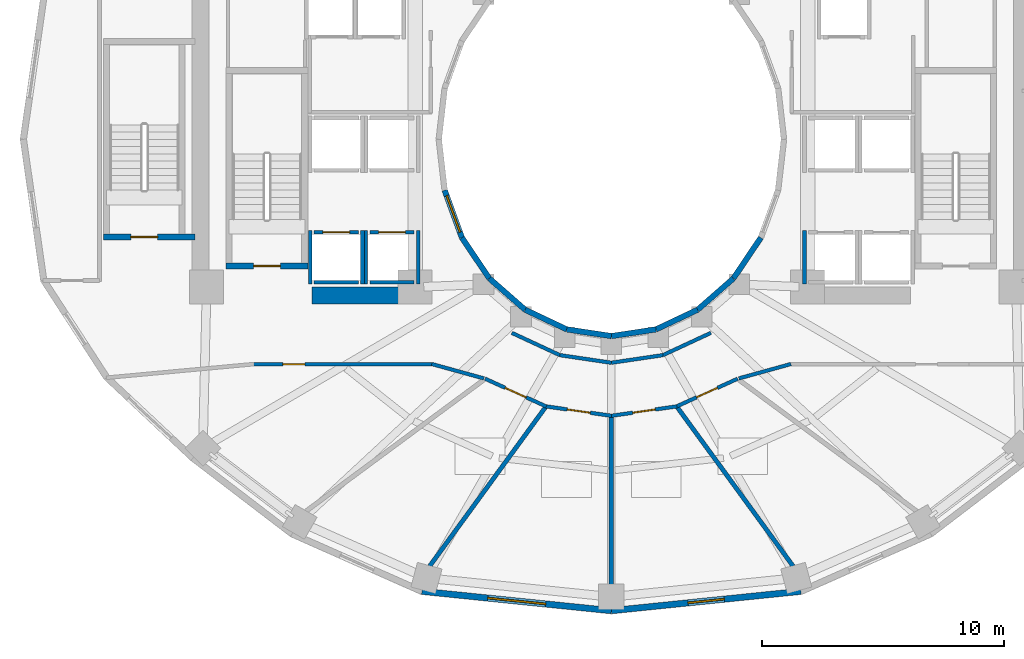
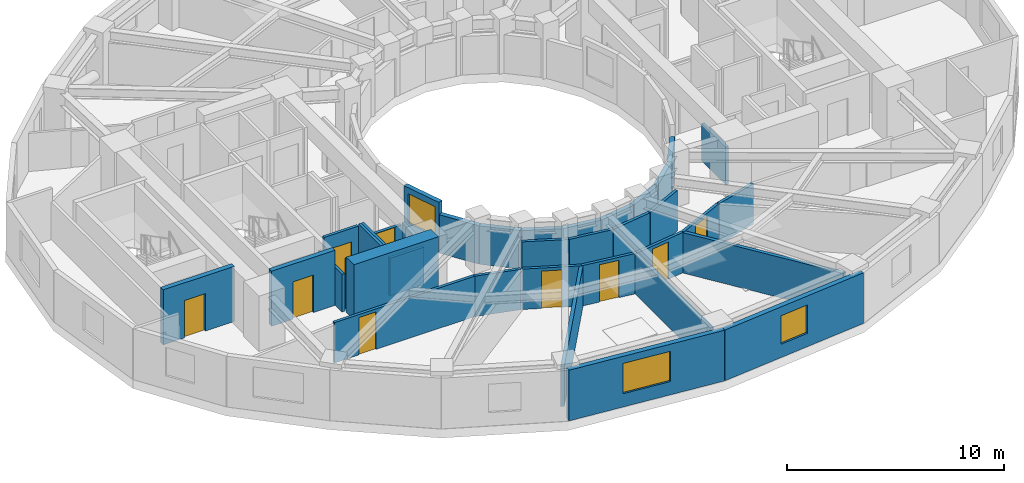
# One storey, part 3 of 9: 37 walls, 9 doors, 3 windows, 12 openings.
"""IFC4 building model written with IfcOpenShell, lengths in metres."""

from ifc_helpers import new_model, si_unit, direction, frame, frame_2d, origin, place, context, subcontext, project, spatial, rectangle, extrude, material, layer, layer_set, type_object, element, fill, save


model = new_model("IFC4")

# Units and contexts
model_context = context("Model", 3, precision=1e-05, world=origin(), true_north=direction((0.0, 1.0)))
body_context = subcontext(model_context, "Body", "Model", "MODEL_VIEW")
ifc_project = project(units=[si_unit("LENGTHUNIT", "METRE"), si_unit("AREAUNIT", "SQUARE_METRE"), si_unit("VOLUMEUNIT", "CUBIC_METRE"), si_unit("PLANEANGLEUNIT", "RADIAN"), si_unit("MASSUNIT", "GRAM", prefix="KILO")], contexts=[model_context])

# Site, building, storey
site_placement = place(None, origin())
site = spatial("IfcSite", under=ifc_project, at=site_placement, CompositionType="ELEMENT")
building_placement = place(site_placement, origin())
building = spatial("IfcBuilding", under=site, at=building_placement, Name="Solvane Sanctuary Tower", CompositionType="ELEMENT")
storey_placement = place(building_placement, frame((0.0, 0.0, 104.199951171875)))
storey = spatial("IfcBuildingStorey", under=building, at=storey_placement, Name="L31", CompositionType="ELEMENT", Elevation=104.199951171875)

# Walls
ifc_material_1 = material(Name="Concrete C60/75", Category="concrete")
ifc_layer_1 = layer(ifc_material_1, 0.699951171875, Name="Concrete C60/75")
ifc_layer_set_1 = layer_set([ifc_layer_1], Name="Concrete C60/75")
wall_type_1 = type_object("IfcWallType", Name="Wall W-CORE-700", PredefinedType="SHEAR", material=ifc_layer_set_1)
wall_1_placement = place(storey_placement, frame((19.64990234375, 16.550048828125, 0.0), z_axis=(0.0, 0.0, 1.0), x_axis=(1.0, 0.0, 0.0)))
element("IfcWall", 1, at=wall_1_placement, inside=storey, type_object=wall_type_1, Name="L31 Core Shear Wall WC-S", PredefinedType="SHEAR", context=body_context, shape_type="SweptSolid", body=[
    extrude(rectangle(XDim=4.5, YDim=0.699951171875, at=frame_2d((2.25, 0.0))), origin(), (0.0, 0.0, 1.0), 3.10009765625),
])
ifc_material_2 = material(Name="Acoustic Gypsum Partition Board")
ifc_layer_2 = layer(ifc_material_2, 0.14990234375, Name="Acoustic Gypsum Partition Board")
ifc_layer_set_2 = layer_set([ifc_layer_2], Name="Acoustic Gypsum Partition Board")
wall_type_2 = type_object("IfcWallType", Name="Wall W-CORR-150", PredefinedType="PARTITIONING", material=ifc_layer_set_2)
wall_2_placement = place(storey_placement, frame((27.889892578125, 15.01513671875, 0.0), z_axis=(0.0, 0.0, 1.0), x_axis=(0.906943449489, -0.421252393975, 0.0)))
element("IfcWall", 2, at=wall_2_placement, inside=storey, type_object=wall_type_2, Name="L31 Light-Well Corridor Rim Wall S1", PredefinedType="PARTITIONING", context=body_context, shape_type="SweptSolid", body=[
    extrude(rectangle(XDim=2.18603515625, YDim=0.14990234375, at=frame_2d((1.093017578125, 0.0))), origin(), (0.0, 0.0, 1.0), 2.27197265625),
])
for number, where, z_axis, x_axis, name in (
    (3, (29.87255859375, 14.09423828125, 0.0), (0.0, 0.0, 1.0), (0.989268584896, -0.146108408166, 0.0), "L31 Light-Well Corridor Rim Wall S2"),
    (4, (32.0, 13.780029296875, 0.0), (0.0, 0.0, 1.0), (0.989268584896, 0.146108408166, 0.0), "L31 Light-Well Corridor Rim Wall S3"),
):
    element("IfcWall", number, at=place(storey_placement, frame(where, z_axis=z_axis, x_axis=x_axis)), inside=storey, type_object=wall_type_2, Name=name, PredefinedType="PARTITIONING", context=body_context, shape_type="SweptSolid", body=[
        extrude(rectangle(XDim=2.150634765625, YDim=0.14990234375, at=frame_2d((1.0751953125, 0.0))), origin(), (0.0, 0.0, 1.0), 2.27197265625),
    ])
wall_3_placement = place(storey_placement, frame((34.12744140625, 14.09423828125, 0.0), z_axis=(0.0, 0.0, 1.0), x_axis=(0.906943449489, 0.421252393975, 0.0)))
element("IfcWall", 5, at=wall_3_placement, inside=storey, type_object=wall_type_2, Name="L31 Light-Well Corridor Rim Wall S4", PredefinedType="PARTITIONING", context=body_context, shape_type="SweptSolid", body=[
    extrude(rectangle(XDim=2.18603515625, YDim=0.14990234375, at=frame_2d((1.093017578125, 0.0))), origin(), (0.0, 0.0, 1.0), 2.27197265625),
])
wall_4_placement = place(storey_placement, frame((26.741943359375, 13.13330078125, 0.0), z_axis=(0.0, 0.0, 1.0), x_axis=(-0.963833843713, 0.266503886865, 0.0)))
element("IfcWall", 6, at=wall_4_placement, inside=storey, type_object=wall_type_2, Name="L31 SW Corner Throat Wall", PredefinedType="PARTITIONING", context=body_context, shape_type="SweptSolid", body=[
    extrude(rectangle(XDim=2.231689453125, YDim=0.14990234375, at=frame_2d((1.11572265625, 0.0))), origin(), (0.0, 0.0, 1.0), 2.27197265625),
])

# Wall, opening, door
wall_5_placement = place(storey_placement, frame((17.14990234375, 13.719970703125, 0.0), z_axis=(0.0, 0.0, 1.0), x_axis=(1.0, 0.0, 0.0)))
wall_5 = element("IfcWall", 7, at=wall_5_placement, inside=storey, type_object=wall_type_2, Name="L31 SW Corner Corridor Wall", PredefinedType="PARTITIONING", context=body_context, shape_type="SweptSolid", body=[
    extrude(rectangle(XDim=7.52001953125, YDim=0.14990234375, at=frame_2d((3.760009765625, 0.0))), origin(), (0.0, 0.0, 1.0), 2.27197265625),
])
opening_1_placement = place(wall_5_placement, frame((1.300048828125, 0.0, 0.0)))
opening_1 = element("IfcOpeningElement", 8, at=opening_1_placement, cuts=wall_5, Name="Opening D-L31-14", PredefinedType="OPENING", context=body_context, shape_type="SweptSolid", body=[
    extrude(rectangle(XDim=0.89990234375, YDim=2.10009765625, at=frame_2d((0.449951171875, 1.050048828125))), frame((0.0, 0.0849609375, 0.0), z_axis=(0.0, -1.0, 0.0), x_axis=(1.0, 0.0, 0.0)), (0.0, 0.0, 1.0), 0.169921875),
])
ifc_material_3 = material(Name="Engineered Tropical Hardwood", Category="wood")
door_type_1 = type_object("IfcDoorType", Name="Door D-WET-900", OperationType="NOTDEFINED", PredefinedType="DOOR", material=ifc_material_3)
door_1_placement = place(opening_1_placement, origin())
door_1 = element("IfcDoor", 9, at=door_1_placement, inside=storey, type_object=door_type_1, Name="L31 SW Corner Salon Door", OperationType="SINGLE_SWING_LEFT", OverallHeight=2.10009765625, OverallWidth=0.89990234375, PredefinedType="DOOR", context=body_context, shape_type="SweptSolid", body=[
    extrude(rectangle(XDim=0.89990234375, YDim=2.10009765625, at=frame_2d((0.449951171875, 1.050048828125))), frame((0.0, 0.02490234375, 0.0), z_axis=(0.0, -1.0, 0.0), x_axis=(1.0, 0.0, 0.0)), (0.0, 0.0, 1.0), 0.050048828125),
])
fill(opening_1, door_1)

# Wall
wall_6_placement = place(storey_placement, frame((37.258056640625, 13.13330078125, 0.0), z_axis=(0.0, 0.0, 1.0), x_axis=(0.963833843713, 0.266503886865, 0.0)))
element("IfcWall", 10, at=wall_6_placement, inside=storey, type_object=wall_type_2, Name="L31 SE Corner Throat Wall", PredefinedType="PARTITIONING", context=body_context, shape_type="SweptSolid", body=[
    extrude(rectangle(XDim=2.231689453125, YDim=0.14990234375, at=frame_2d((1.11572265625, 0.0))), origin(), (0.0, 0.0, 1.0), 2.27197265625),
])

# Wall, opening, door
wall_7_placement = place(storey_placement, frame((26.788818359375, 13.12255859375, 0.0), z_axis=(0.0, 0.0, 1.0), x_axis=(0.910568469686, -0.41335827319, 0.0)))
wall_7 = element("IfcWall", 11, at=wall_7_placement, inside=storey, type_object=wall_type_2, Name="L31 Unit Corridor Wall S1", PredefinedType="PARTITIONING", context=body_context, shape_type="SweptSolid", body=[
    extrude(rectangle(XDim=2.771728515625, YDim=0.14990234375, at=frame_2d((1.3857421875, 0.0))), origin(), (0.0, 0.0, 1.0), 2.27197265625),
])
opening_2_placement = place(wall_7_placement, frame((0.910888671875, 0.0, 0.0)))
opening_2 = element("IfcOpeningElement", 12, at=opening_2_placement, cuts=wall_7, Name="Opening D-L31-20", PredefinedType="OPENING", context=body_context, shape_type="SweptSolid", body=[
    extrude(rectangle(XDim=0.949951171875, YDim=2.10009765625, at=frame_2d((0.47509765625, 1.050048828125))), frame((0.0, 0.0849609375, 0.0), z_axis=(0.0, -1.0, 0.0), x_axis=(1.0, 0.0, 0.0)), (0.0, 0.0, 1.0), 0.169921875),
])
door_type_2 = type_object("IfcDoorType", Name="Door D-ROOM-950", OperationType="NOTDEFINED", PredefinedType="DOOR", material=ifc_material_3)
door_2_placement = place(opening_2_placement, origin())
door_2 = element("IfcDoor", 13, at=door_2_placement, inside=storey, type_object=door_type_2, Name="L31 Unit Entrance Door S1", OperationType="SINGLE_SWING_LEFT", OverallHeight=2.10009765625, OverallWidth=0.949951171875, PredefinedType="DOOR", context=body_context, shape_type="SweptSolid", body=[
    extrude(rectangle(XDim=0.949951171875, YDim=2.10009765625, at=frame_2d((0.47509765625, 1.050048828125))), frame((0.0, 0.02490234375, 0.0), z_axis=(0.0, -1.0, 0.0), x_axis=(1.0, 0.0, 0.0)), (0.0, 0.0, 1.0), 0.050048828125),
])
fill(opening_2, door_2)

wall_8_placement = place(storey_placement, frame((29.298583984375, 11.98095703125, 0.0), z_axis=(0.0, 0.0, 1.0), x_axis=(0.989748682384, -0.142819976611, 0.0)))
wall_8 = element("IfcWall", 14, at=wall_8_placement, inside=storey, type_object=wall_type_2, Name="L31 Unit Corridor Wall S2", PredefinedType="PARTITIONING", context=body_context, shape_type="SweptSolid", body=[
    extrude(rectangle(XDim=2.73681640625, YDim=0.14990234375, at=frame_2d((1.368408203125, 0.0))), origin(), (0.0, 0.0, 1.0), 2.27197265625),
])
opening_3_placement = place(wall_8_placement, frame((0.893310546875, 0.0, 0.0)))
opening_3 = element("IfcOpeningElement", 15, at=opening_3_placement, cuts=wall_8, Name="Opening D-L31-21", PredefinedType="OPENING", context=body_context, shape_type="SweptSolid", body=[
    extrude(rectangle(XDim=0.949951171875, YDim=2.10009765625, at=frame_2d((0.47509765625, 1.050048828125))), frame((0.0, 0.0849609375, 0.0), z_axis=(0.0, -1.0, 0.0), x_axis=(1.0, 0.0, 0.0)), (0.0, 0.0, 1.0), 0.169921875),
])
door_3_placement = place(opening_3_placement, origin())
door_3 = element("IfcDoor", 16, at=door_3_placement, inside=storey, type_object=door_type_2, Name="L31 Unit Entrance Door S2", OperationType="SINGLE_SWING_RIGHT", OverallHeight=2.10009765625, OverallWidth=0.949951171875, PredefinedType="DOOR", context=body_context, shape_type="SweptSolid", body=[
    extrude(rectangle(XDim=0.949951171875, YDim=2.10009765625, at=frame_2d((0.47509765625, 1.050048828125))), frame((0.0, 0.02490234375, 0.0), z_axis=(0.0, -1.0, 0.0), x_axis=(1.0, 0.0, 0.0)), (0.0, 0.0, 1.0), 0.050048828125),
])
fill(opening_3, door_3)

wall_9_placement = place(storey_placement, frame((31.99267578125, 11.590087890625, 0.0), z_axis=(0.0, 0.0, 1.0), x_axis=(0.989748682384, 0.142819976611, 0.0)))
wall_9 = element("IfcWall", 17, at=wall_9_placement, inside=storey, type_object=wall_type_2, Name="L31 Unit Corridor Wall S3", PredefinedType="PARTITIONING", context=body_context, shape_type="SweptSolid", body=[
    extrude(rectangle(XDim=2.73681640625, YDim=0.14990234375, at=frame_2d((1.368408203125, 0.0))), origin(), (0.0, 0.0, 1.0), 2.27197265625),
])
opening_4_placement = place(wall_9_placement, frame((0.893310546875, 0.0, 0.0)))
opening_4 = element("IfcOpeningElement", 18, at=opening_4_placement, cuts=wall_9, Name="Opening D-L31-22", PredefinedType="OPENING", context=body_context, shape_type="SweptSolid", body=[
    extrude(rectangle(XDim=0.949951171875, YDim=2.10009765625, at=frame_2d((0.47509765625, 1.050048828125))), frame((0.0, 0.0849609375, 0.0), z_axis=(0.0, -1.0, 0.0), x_axis=(1.0, 0.0, 0.0)), (0.0, 0.0, 1.0), 0.169921875),
])
door_4_placement = place(opening_4_placement, origin())
door_4 = element("IfcDoor", 19, at=door_4_placement, inside=storey, type_object=door_type_2, Name="L31 Unit Entrance Door S3", OperationType="SINGLE_SWING_LEFT", OverallHeight=2.10009765625, OverallWidth=0.949951171875, PredefinedType="DOOR", context=body_context, shape_type="SweptSolid", body=[
    extrude(rectangle(XDim=0.949951171875, YDim=2.10009765625, at=frame_2d((0.47509765625, 1.050048828125))), frame((0.0, 0.02490234375, 0.0), z_axis=(0.0, -1.0, 0.0), x_axis=(1.0, 0.0, 0.0)), (0.0, 0.0, 1.0), 0.050048828125),
])
fill(opening_4, door_4)

wall_10_placement = place(storey_placement, frame((34.687255859375, 11.976806640625, 0.0), z_axis=(0.0, 0.0, 1.0), x_axis=(0.910568469686, 0.41335827319, 0.0)))
wall_10 = element("IfcWall", 20, at=wall_10_placement, inside=storey, type_object=wall_type_2, Name="L31 Unit Corridor Wall S4", PredefinedType="PARTITIONING", context=body_context, shape_type="SweptSolid", body=[
    extrude(rectangle(XDim=2.771728515625, YDim=0.14990234375, at=frame_2d((1.3857421875, 0.0))), origin(), (0.0, 0.0, 1.0), 2.27197265625),
])
opening_5_placement = place(wall_10_placement, frame((0.910888671875, 0.0, 0.0)))
opening_5 = element("IfcOpeningElement", 21, at=opening_5_placement, cuts=wall_10, Name="Opening D-L31-23", PredefinedType="OPENING", context=body_context, shape_type="SweptSolid", body=[
    extrude(rectangle(XDim=0.949951171875, YDim=2.10009765625, at=frame_2d((0.47509765625, 1.050048828125))), frame((0.0, 0.0849609375, 0.0), z_axis=(0.0, -1.0, 0.0), x_axis=(1.0, 0.0, 0.0)), (0.0, 0.0, 1.0), 0.169921875),
])
door_5_placement = place(opening_5_placement, origin())
door_5 = element("IfcDoor", 22, at=door_5_placement, inside=storey, type_object=door_type_2, Name="L31 Unit Entrance Door S4", OperationType="SINGLE_SWING_RIGHT", OverallHeight=2.10009765625, OverallWidth=0.949951171875, PredefinedType="DOOR", context=body_context, shape_type="SweptSolid", body=[
    extrude(rectangle(XDim=0.949951171875, YDim=2.10009765625, at=frame_2d((0.47509765625, 1.050048828125))), frame((0.0, 0.02490234375, 0.0), z_axis=(0.0, -1.0, 0.0), x_axis=(1.0, 0.0, 0.0)), (0.0, 0.0, 1.0), 0.050048828125),
])
fill(opening_5, door_5)

# Wall, opening, window
ifc_material_4 = material(Name="Precast concrete C40/50", Category="concrete")
ifc_layer_3 = layer(ifc_material_4, 0.260009765625, Name="Precast concrete C40/50")
ifc_layer_set_3 = layer_set([ifc_layer_3], Name="Precast concrete C40/50")
wall_type_3 = type_object("IfcWallType", Name="Wall W-EXT-250", PredefinedType="STANDARD", material=ifc_layer_set_3)
wall_11_placement = place(storey_placement, frame((24.18359375, 4.349365234375, 0.0), z_axis=(0.0, 0.0, 1.0), x_axis=(0.994821390558, -0.101638579726, 0.0)))
wall_11 = element("IfcWall", 23, at=wall_11_placement, inside=storey, type_object=wall_type_3, Name="L31 Ceramic-Printed Facade Wall 17", PredefinedType="STANDARD", context=body_context, shape_type="SweptSolid", body=[
    extrude(rectangle(XDim=7.857177734375, YDim=0.260009765625, at=frame_2d((3.9287109375, 0.0))), origin(), (0.0, 0.0, 1.0), 2.85009765625),
])
opening_6_placement = place(wall_11_placement, frame((2.728515625, 0.0, 0.75)))
opening_6 = element("IfcOpeningElement", 24, at=opening_6_placement, cuts=wall_11, Name="Opening WN-RIB-2400", PredefinedType="OPENING", context=body_context, shape_type="SweptSolid", body=[
    extrude(rectangle(XDim=2.39990234375, YDim=1.699951171875, at=frame_2d((1.199951171875, 0.85009765625))), frame((0.0, 0.139892578125, 0.0), z_axis=(0.0, -1.0, 0.0), x_axis=(1.0, 0.0, 0.0)), (0.0, 0.0, 1.0), 0.280029296875),
])
ifc_material_5 = material(Name="Dark Ceramic-Fritted Low-E Glass", Category="glass")
window_type_1 = type_object("IfcWindowType", Name="Window WN-RIB-2400", PartitioningType="SINGLE_PANEL", PredefinedType="WINDOW", material=ifc_material_5)
window_1_placement = place(opening_6_placement, origin())
window_1 = element("IfcWindow", 25, at=window_1_placement, inside=storey, type_object=window_type_1, Name="L31 Operable Facade Window 17", OverallHeight=1.699951171875, OverallWidth=2.39990234375, PartitioningType="SINGLE_PANEL", PredefinedType="WINDOW", context=body_context, shape_type="SweptSolid", body=[
    extrude(rectangle(XDim=2.39990234375, YDim=1.699951171875, at=frame_2d((1.199951171875, 0.85009765625))), frame((0.0, 0.030029296875, 0.0), z_axis=(0.0, -1.0, 0.0), x_axis=(1.0, 0.0, 0.0)), (0.0, 0.0, 1.0), 0.06005859375),
])
fill(opening_6, window_1)

wall_12_placement = place(storey_placement, frame((32.0, 3.55078125, 0.0), z_axis=(0.0, 0.0, 1.0), x_axis=(0.994821390558, 0.101638579726, 0.0)))
wall_12 = element("IfcWall", 26, at=wall_12_placement, inside=storey, type_object=wall_type_3, Name="L31 Ceramic-Printed Facade Wall 18", PredefinedType="STANDARD", context=body_context, shape_type="SweptSolid", body=[
    extrude(rectangle(XDim=7.857177734375, YDim=0.260009765625, at=frame_2d((3.9287109375, 0.0))), origin(), (0.0, 0.0, 1.0), 2.85009765625),
])
opening_7_placement = place(wall_12_placement, frame((3.178466796875, 0.0, 0.75)))
opening_7 = element("IfcOpeningElement", 27, at=opening_7_placement, cuts=wall_12, Name="Opening WN-OPER-1500", PredefinedType="OPENING", context=body_context, shape_type="SweptSolid", body=[
    extrude(rectangle(XDim=1.5, YDim=1.60009765625, at=frame_2d((0.75, 0.800048828125))), frame((0.0, 0.139892578125, 0.0), z_axis=(0.0, -1.0, 0.0), x_axis=(1.0, 0.0, 0.0)), (0.0, 0.0, 1.0), 0.280029296875),
])
window_type_2 = type_object("IfcWindowType", Name="Window WN-OPER-1500", PartitioningType="SINGLE_PANEL", PredefinedType="WINDOW", material=ifc_material_5)
window_2_placement = place(opening_7_placement, origin())
window_2 = element("IfcWindow", 28, at=window_2_placement, inside=storey, type_object=window_type_2, Name="L31 Operable Facade Window 18", OverallHeight=1.60009765625, OverallWidth=1.5, PartitioningType="SINGLE_PANEL", PredefinedType="WINDOW", context=body_context, shape_type="SweptSolid", body=[
    extrude(rectangle(XDim=1.5, YDim=1.60009765625, at=frame_2d((0.75, 0.800048828125))), frame((0.0, 0.030029296875, 0.0), z_axis=(0.0, -1.0, 0.0), x_axis=(1.0, 0.0, 0.0)), (0.0, 0.0, 1.0), 0.06005859375),
])
fill(opening_7, window_2)

ifc_layer_4 = layer(ifc_material_4, 0.22998046875, Name="Precast concrete C40/50")
ifc_layer_set_4 = layer_set([ifc_layer_4], Name="Precast concrete C40/50")
wall_type_4 = type_object("IfcWallType", Name="Wall W-EXT-SP220", PredefinedType="STANDARD", material=ifc_layer_set_4)
wall_13_placement = place(storey_placement, frame((25.12255859375, 20.8984375, 0.0), z_axis=(0.0, 0.0, 1.0), x_axis=(0.341423187295, -0.93990968033, 0.0)))
wall_13 = element("IfcWall", 29, at=wall_13_placement, inside=storey, type_object=wall_type_4, Name="L31 Central Light-Well Wall 13", PredefinedType="STANDARD", context=body_context, shape_type="SweptSolid", body=[
    extrude(rectangle(XDim=2.083740234375, YDim=0.22998046875, at=frame_2d((1.0419921875, 0.0))), origin(), (0.0, 0.0, 1.0), 2.840087890625),
])
opening_8_placement = place(wall_13_placement, frame((0.24169921875, 0.0, 0.85009765625)))
opening_8 = element("IfcOpeningElement", 30, at=opening_8_placement, cuts=wall_13, Name="Opening WN-WELL-1600", PredefinedType="OPENING", context=body_context, shape_type="SweptSolid", body=[
    extrude(rectangle(XDim=1.60009765625, YDim=1.64990234375, at=frame_2d((0.800048828125, 0.824951171875))), frame((0.0, 0.125, 0.0), z_axis=(0.0, -1.0, 0.0), x_axis=(1.0, 0.0, 0.0)), (0.0, 0.0, 1.0), 0.25),
])
ifc_material_6 = material(Name="Clear Laminated Light-Well Glass", Category="glass")
window_type_3 = type_object("IfcWindowType", Name="Window WN-WELL-1600", PartitioningType="SINGLE_PANEL", PredefinedType="WINDOW", material=ifc_material_6)
window_3_placement = place(opening_8_placement, origin())
window_3 = element("IfcWindow", 31, at=window_3_placement, inside=storey, type_object=window_type_3, Name="L31 Light-Well Daylight Window 13", OverallHeight=1.64990234375, OverallWidth=1.60009765625, PartitioningType="SINGLE_PANEL", PredefinedType="WINDOW", context=body_context, shape_type="SweptSolid", body=[
    extrude(rectangle(XDim=1.60009765625, YDim=1.64990234375, at=frame_2d((0.800048828125, 0.824951171875))), frame((0.0, 0.030029296875, 0.0), z_axis=(0.0, -1.0, 0.0), x_axis=(1.0, 0.0, 0.0)), (0.0, 0.0, 1.0), 0.06005859375),
])
fill(opening_8, window_3)

# Walls
wall_14_placement = place(storey_placement, frame((25.833984375, 18.93994140625, 0.0), z_axis=(0.0, 0.0, 1.0), x_axis=(0.558197800898, -0.829707909492, 0.0)))
element("IfcWall", 32, at=wall_14_placement, inside=storey, type_object=wall_type_4, Name="L31 Central Light-Well Wall 14", PredefinedType="STANDARD", context=body_context, shape_type="SweptSolid", body=[
    extrude(rectangle(XDim=2.02685546875, YDim=0.22998046875, at=frame_2d((1.013427734375, 0.0))), origin(), (0.0, 0.0, 1.0), 2.16015625),
])
wall_15_placement = place(storey_placement, frame((26.96533203125, 17.25830078125, 0.0), z_axis=(0.0, 0.0, 1.0), x_axis=(0.752576694707, -0.658504607869, 0.0)))
element("IfcWall", 33, at=wall_15_placement, inside=storey, type_object=wall_type_4, Name="L31 Central Light-Well Wall 15", PredefinedType="STANDARD", context=body_context, shape_type="SweptSolid", body=[
    extrude(rectangle(XDim=1.95947265625, YDim=0.22998046875, at=frame_2d((0.979736328125, 0.0))), origin(), (0.0, 0.0, 1.0), 2.16015625),
])
wall_16_placement = place(storey_placement, frame((28.43994140625, 15.968017578125, 0.0), z_axis=(0.0, 0.0, 1.0), x_axis=(0.904179699603, -0.427152280606, 0.0)))
element("IfcWall", 34, at=wall_16_placement, inside=storey, type_object=wall_type_4, Name="L31 Central Light-Well Wall 16", PredefinedType="STANDARD", context=body_context, shape_type="SweptSolid", body=[
    extrude(rectangle(XDim=1.899169921875, YDim=0.22998046875, at=frame_2d((0.94970703125, 0.0))), origin(), (0.0, 0.0, 1.0), 2.16015625),
])
for number, where, z_axis, x_axis, name in (
    (35, (30.1572265625, 15.15673828125, 0.0), (0.0, 0.0, 1.0), (0.988901730308, -0.148571086668, 0.0), "L31 Central Light-Well Wall 17"),
    (36, (32.0, 14.8798828125, 0.0), (0.0, 0.0, 1.0), (0.988901730308, 0.148571086668, 0.0), "L31 Central Light-Well Wall 18"),
):
    element("IfcWall", number, at=place(storey_placement, frame(where, z_axis=z_axis, x_axis=x_axis)), inside=storey, type_object=wall_type_4, Name=name, PredefinedType="STANDARD", context=body_context, shape_type="SweptSolid", body=[
        extrude(rectangle(XDim=1.863525390625, YDim=0.22998046875, at=frame_2d((0.931640625, 0.0))), origin(), (0.0, 0.0, 1.0), 2.16015625),
    ])
wall_17_placement = place(storey_placement, frame((33.8427734375, 15.15673828125, 0.0), z_axis=(0.0, 0.0, 1.0), x_axis=(0.904179699603, 0.427152280606, 0.0)))
element("IfcWall", 37, at=wall_17_placement, inside=storey, type_object=wall_type_4, Name="L31 Central Light-Well Wall 19", PredefinedType="STANDARD", context=body_context, shape_type="SweptSolid", body=[
    extrude(rectangle(XDim=1.899169921875, YDim=0.22998046875, at=frame_2d((0.94970703125, 0.0))), origin(), (0.0, 0.0, 1.0), 2.16015625),
])
wall_18_placement = place(storey_placement, frame((35.56005859375, 15.968017578125, 0.0), z_axis=(0.0, 0.0, 1.0), x_axis=(0.752576694707, 0.658504607869, 0.0)))
element("IfcWall", 38, at=wall_18_placement, inside=storey, type_object=wall_type_4, Name="L31 Central Light-Well Wall 20", PredefinedType="STANDARD", context=body_context, shape_type="SweptSolid", body=[
    extrude(rectangle(XDim=1.95947265625, YDim=0.22998046875, at=frame_2d((0.979736328125, 0.0))), origin(), (0.0, 0.0, 1.0), 2.16015625),
])
wall_19_placement = place(storey_placement, frame((37.03466796875, 17.25830078125, 0.0), z_axis=(0.0, 0.0, 1.0), x_axis=(0.558197800898, 0.829707909492, 0.0)))
element("IfcWall", 39, at=wall_19_placement, inside=storey, type_object=wall_type_4, Name="L31 Central Light-Well Wall 21", PredefinedType="STANDARD", context=body_context, shape_type="SweptSolid", body=[
    extrude(rectangle(XDim=2.02685546875, YDim=0.22998046875, at=frame_2d((1.013427734375, 0.0))), origin(), (0.0, 0.0, 1.0), 2.16015625),
])

# Wall, opening, door
ifc_material_7 = material(Name="Concrete C50/60", Category="concrete")
ifc_layer_5 = layer(ifc_material_7, 0.14990234375, Name="Concrete C50/60")
ifc_layer_set_5 = layer_set([ifc_layer_5], Name="Concrete C50/60")
wall_type_5 = type_object("IfcWallType", Name="Wall W-SHAFT-150", PredefinedType="SOLIDWALL", material=ifc_layer_set_5)
wall_20_placement = place(storey_placement, frame((19.739990234375, 19.159912109375, 0.0), z_axis=(0.0, 0.0, 1.0), x_axis=(1.0, 0.0, 0.0)))
wall_20 = element("IfcWall", 40, at=wall_20_placement, inside=storey, type_object=wall_type_5, Name="L31 PL-1 Lift Shaft Wall F", PredefinedType="SOLIDWALL", context=body_context, shape_type="SweptSolid", body=[
    extrude(rectangle(XDim=1.820068359375, YDim=0.14990234375, at=frame_2d((0.91015625, 0.0))), origin(), (0.0, 0.0, 1.0), 2.85498046875),
])
opening_9_placement = place(wall_20_placement, frame((0.360107421875, 0.0, 0.0)))
opening_9 = element("IfcOpeningElement", 41, at=opening_9_placement, cuts=wall_20, Name="Opening LD-L31-01", PredefinedType="OPENING", context=body_context, shape_type="SweptSolid", body=[
    extrude(rectangle(XDim=1.10009765625, YDim=2.10009765625, at=frame_2d((0.550048828125, 1.050048828125))), frame((0.0, 0.0849609375, 0.0), z_axis=(0.0, -1.0, 0.0), x_axis=(1.0, 0.0, 0.0)), (0.0, 0.0, 1.0), 0.169921875),
])
ifc_material_8 = material(Name="Architectural Stainless Steel 316", Category="steel")
door_type_3 = type_object("IfcDoorType", Name="Door LD-PASS-1100", OperationType="NOTDEFINED", PredefinedType="DOOR", material=ifc_material_8)
door_6_placement = place(opening_9_placement, origin())
door_6 = element("IfcDoor", 42, at=door_6_placement, inside=storey, type_object=door_type_3, Name="L31 PL-1 Lift Landing Door", OperationType="DOUBLE_DOOR_SLIDING", OverallHeight=2.10009765625, OverallWidth=1.10009765625, PredefinedType="DOOR", context=body_context, shape_type="SweptSolid", body=[
    extrude(rectangle(XDim=1.10009765625, YDim=2.10009765625, at=frame_2d((0.550048828125, 1.050048828125))), frame((0.0, 0.02490234375, 0.0), z_axis=(0.0, -1.0, 0.0), x_axis=(1.0, 0.0, 0.0)), (0.0, 0.0, 1.0), 0.050048828125),
])
fill(opening_9, door_6)

# Walls
wall_21_placement = place(storey_placement, frame((19.739990234375, 17.10009765625, 0.0), z_axis=(0.0, 0.0, 1.0), x_axis=(1.0, 0.0, 0.0)))
element("IfcWall", 43, at=wall_21_placement, inside=storey, type_object=wall_type_5, Name="L31 PL-1 Lift Shaft Wall B", PredefinedType="SOLIDWALL", context=body_context, shape_type="SweptSolid", body=[
    extrude(rectangle(XDim=1.820068359375, YDim=0.14990234375, at=frame_2d((0.91015625, 0.0))), origin(), (0.0, 0.0, 1.0), 2.85498046875),
])
wall_22_placement = place(storey_placement, frame((19.570068359375, 17.02001953125, 0.0), z_axis=(0.0, 0.0, 1.0), x_axis=(0.0, 1.0, 0.0)))
element("IfcWall", 44, at=wall_22_placement, inside=storey, type_object=wall_type_5, Name="L31 PL-1 Lift Shaft Wall S1", PredefinedType="SOLIDWALL", context=body_context, shape_type="SweptSolid", body=[
    extrude(rectangle(XDim=2.219970703125, YDim=0.14990234375, at=frame_2d((1.10986328125, 0.0))), origin(), (0.0, 0.0, 1.0), 2.1201171875),
])
wall_23_placement = place(storey_placement, frame((21.72998046875, 17.02001953125, 0.0), z_axis=(0.0, 0.0, 1.0), x_axis=(0.0, 1.0, 0.0)))
element("IfcWall", 45, at=wall_23_placement, inside=storey, type_object=wall_type_5, Name="L31 PL-1 Lift Shaft Wall S2", PredefinedType="SOLIDWALL", context=body_context, shape_type="SweptSolid", body=[
    extrude(rectangle(XDim=2.219970703125, YDim=0.14990234375, at=frame_2d((1.10986328125, 0.0))), origin(), (0.0, 0.0, 1.0), 2.85498046875),
])

# Wall, opening, door
wall_24_placement = place(storey_placement, frame((22.0400390625, 19.159912109375, 0.0), z_axis=(0.0, 0.0, 1.0), x_axis=(1.0, 0.0, 0.0)))
wall_24 = element("IfcWall", 46, at=wall_24_placement, inside=storey, type_object=wall_type_5, Name="L31 PL-2 Lift Shaft Wall F", PredefinedType="SOLIDWALL", context=body_context, shape_type="SweptSolid", body=[
    extrude(rectangle(XDim=1.820068359375, YDim=0.14990234375, at=frame_2d((0.91015625, 0.0))), origin(), (0.0, 0.0, 1.0), 2.1201171875),
])
opening_10_placement = place(wall_24_placement, frame((0.360107421875, 0.0, 0.0)))
opening_10 = element("IfcOpeningElement", 47, at=opening_10_placement, cuts=wall_24, Name="Opening LD-L31-02", PredefinedType="OPENING", context=body_context, shape_type="SweptSolid", body=[
    extrude(rectangle(XDim=1.10009765625, YDim=2.10009765625, at=frame_2d((0.550048828125, 1.050048828125))), frame((0.0, 0.0849609375, 0.0), z_axis=(0.0, -1.0, 0.0), x_axis=(1.0, 0.0, 0.0)), (0.0, 0.0, 1.0), 0.169921875),
])
door_7_placement = place(opening_10_placement, origin())
door_7 = element("IfcDoor", 48, at=door_7_placement, inside=storey, type_object=door_type_3, Name="L31 PL-2 Lift Landing Door", OperationType="DOUBLE_DOOR_SLIDING", OverallHeight=2.10009765625, OverallWidth=1.10009765625, PredefinedType="DOOR", context=body_context, shape_type="SweptSolid", body=[
    extrude(rectangle(XDim=1.10009765625, YDim=2.10009765625, at=frame_2d((0.550048828125, 1.050048828125))), frame((0.0, 0.02490234375, 0.0), z_axis=(0.0, -1.0, 0.0), x_axis=(1.0, 0.0, 0.0)), (0.0, 0.0, 1.0), 0.050048828125),
])
fill(opening_10, door_7)

# Walls
wall_25_placement = place(storey_placement, frame((22.0400390625, 17.10009765625, 0.0), z_axis=(0.0, 0.0, 1.0), x_axis=(1.0, 0.0, 0.0)))
element("IfcWall", 49, at=wall_25_placement, inside=storey, type_object=wall_type_5, Name="L31 PL-2 Lift Shaft Wall B", PredefinedType="SOLIDWALL", context=body_context, shape_type="SweptSolid", body=[
    extrude(rectangle(XDim=1.820068359375, YDim=0.14990234375, at=frame_2d((0.91015625, 0.0))), origin(), (0.0, 0.0, 1.0), 2.1201171875),
])
wall_26_placement = place(storey_placement, frame((21.8701171875, 17.02001953125, 0.0), z_axis=(0.0, 0.0, 1.0), x_axis=(0.0, 1.0, 0.0)))
element("IfcWall", 50, at=wall_26_placement, inside=storey, type_object=wall_type_5, Name="L31 PL-2 Lift Shaft Wall S1", PredefinedType="SOLIDWALL", context=body_context, shape_type="SweptSolid", body=[
    extrude(rectangle(XDim=2.219970703125, YDim=0.14990234375, at=frame_2d((1.10986328125, 0.0))), origin(), (0.0, 0.0, 1.0), 2.85498046875),
])
for number, where, z_axis, x_axis, name in (
    (51, (24.030029296875, 17.02001953125, 0.0), (0.0, 0.0, 1.0), (0.0, 1.0, 0.0), "L31 PL-2 Lift Shaft Wall S2"),
    (52, (39.969970703125, 17.02001953125, 0.0), (0.0, 0.0, 1.0), (0.0, 1.0, 0.0), "L31 PL-3 Lift Shaft Wall S1"),
):
    element("IfcWall", number, at=place(storey_placement, frame(where, z_axis=z_axis, x_axis=x_axis)), inside=storey, type_object=wall_type_5, Name=name, PredefinedType="SOLIDWALL", context=body_context, shape_type="SweptSolid", body=[
        extrude(rectangle(XDim=2.219970703125, YDim=0.14990234375, at=frame_2d((1.10986328125, 0.0))), origin(), (0.0, 0.0, 1.0), 2.1201171875),
    ])

# Wall, opening, door
ifc_layer_6 = layer(ifc_material_7, 0.25, Name="Concrete C50/60")
ifc_layer_set_6 = layer_set([ifc_layer_6], Name="Concrete C50/60")
wall_type_6 = type_object("IfcWallType", Name="Wall W-SHAFT-250", PredefinedType="SOLIDWALL", material=ifc_layer_set_6)
wall_27_placement = place(storey_placement, frame((16.10498046875, 17.77001953125, 0.0), z_axis=(0.0, 0.0, 1.0), x_axis=(1.0, 0.0, 0.0)))
wall_27 = element("IfcWall", 53, at=wall_27_placement, inside=storey, type_object=wall_type_6, Name="L31 ST-1 Load-Bearing Shaft Wall S", PredefinedType="SOLIDWALL", context=body_context, shape_type="SweptSolid", body=[
    extrude(rectangle(XDim=3.3701171875, YDim=0.25, at=frame_2d((1.68505859375, 0.0))), origin(), (0.0, 0.0, 1.0), 3.10009765625),
])
opening_11_placement = place(wall_27_placement, frame((1.135009765625, 0.0, 0.0)))
opening_11 = element("IfcOpeningElement", 54, at=opening_11_placement, cuts=wall_27, Name="Opening D-L31-01", PredefinedType="OPENING", context=body_context, shape_type="SweptSolid", body=[
    extrude(rectangle(XDim=1.10009765625, YDim=2.10009765625, at=frame_2d((0.550048828125, 1.050048828125))), frame((0.0, 0.135009765625, 0.0), z_axis=(0.0, -1.0, 0.0), x_axis=(1.0, 0.0, 0.0)), (0.0, 0.0, 1.0), 0.27001953125),
])
door_type_4 = type_object("IfcDoorType", Name="Door D-STAIR", OperationType="NOTDEFINED", PredefinedType="DOOR", material=ifc_material_8)
door_8_placement = place(opening_11_placement, origin())
door_8 = element("IfcDoor", 55, at=door_8_placement, inside=storey, type_object=door_type_4, Name="L31 ST-1 Exit Stair Fire Door", OperationType="SINGLE_SWING_LEFT", OverallHeight=2.10009765625, OverallWidth=1.10009765625, PredefinedType="DOOR", context=body_context, shape_type="SweptSolid", body=[
    extrude(rectangle(XDim=1.10009765625, YDim=2.10009765625, at=frame_2d((0.550048828125, 1.050048828125))), frame((0.0, 0.02490234375, 0.0), z_axis=(0.0, -1.0, 0.0), x_axis=(1.0, 0.0, 0.0)), (0.0, 0.0, 1.0), 0.050048828125),
])
fill(opening_11, door_8)

wall_28_placement = place(storey_placement, frame((11.044921875, 18.969970703125, 0.0), z_axis=(0.0, 0.0, 1.0), x_axis=(1.0, 0.0, 0.0)))
wall_28 = element("IfcWall", 56, at=wall_28_placement, inside=storey, type_object=wall_type_6, Name="L31 ST-3 Load-Bearing Shaft Wall S", PredefinedType="SOLIDWALL", context=body_context, shape_type="SweptSolid", body=[
    extrude(rectangle(XDim=3.781982421875, YDim=0.25, at=frame_2d((1.89111328125, 0.0))), origin(), (0.0, 0.0, 1.0), 3.10009765625),
])
opening_12_placement = place(wall_28_placement, frame((1.135009765625, 0.0, 0.0)))
opening_12 = element("IfcOpeningElement", 57, at=opening_12_placement, cuts=wall_28, Name="Opening D-L31-03", PredefinedType="OPENING", context=body_context, shape_type="SweptSolid", body=[
    extrude(rectangle(XDim=1.10009765625, YDim=2.10009765625, at=frame_2d((0.550048828125, 1.050048828125))), frame((0.0, 0.135009765625, 0.0), z_axis=(0.0, -1.0, 0.0), x_axis=(1.0, 0.0, 0.0)), (0.0, 0.0, 1.0), 0.27001953125),
])
door_9_placement = place(opening_12_placement, origin())
door_9 = element("IfcDoor", 58, at=door_9_placement, inside=storey, type_object=door_type_4, Name="L31 ST-3 Exit Stair Fire Door", OperationType="SINGLE_SWING_LEFT", OverallHeight=2.10009765625, OverallWidth=1.10009765625, PredefinedType="DOOR", context=body_context, shape_type="SweptSolid", body=[
    extrude(rectangle(XDim=1.10009765625, YDim=2.10009765625, at=frame_2d((0.550048828125, 1.050048828125))), frame((0.0, 0.02490234375, 0.0), z_axis=(0.0, -1.0, 0.0), x_axis=(1.0, 0.0, 0.0)), (0.0, 0.0, 1.0), 0.050048828125),
])
fill(opening_12, door_9)

# Walls
ifc_layer_7 = layer(ifc_material_2, 0.179931640625, Name="Acoustic Gypsum Partition Board")
ifc_layer_set_7 = layer_set([ifc_layer_7], Name="Acoustic Gypsum Partition Board")
wall_type_7 = type_object("IfcWallType", Name="Wall W-UNIT-180", PredefinedType="PARTITIONING", material=ifc_layer_set_7)
wall_29_placement = place(storey_placement, frame((29.273193359375, 11.934326171875, 0.0), z_axis=(0.0, 0.0, 1.0), x_axis=(-0.589042211476, -0.808102266486, 0.0)))
element("IfcWall", 59, at=wall_29_placement, inside=storey, type_object=wall_type_7, Name="L31 Radial Compartment Wall 255", PredefinedType="PARTITIONING", context=body_context, shape_type="SweptSolid", body=[
    extrude(rectangle(XDim=8.101318359375, YDim=0.179931640625, at=frame_2d((4.05078125, 0.0))), origin(), (0.0, 0.0, 1.0), 2.27197265625),
])
wall_30_placement = place(storey_placement, frame((32.0, 11.534912109375, 0.0), z_axis=(0.0, 0.0, 1.0), x_axis=(0.0, -1.0, 0.0)))
element("IfcWall", 60, at=wall_30_placement, inside=storey, type_object=wall_type_7, Name="L31 Radial Compartment Wall 270", PredefinedType="PARTITIONING", context=body_context, shape_type="SweptSolid", body=[
    extrude(rectangle(XDim=6.909912109375, YDim=0.179931640625, at=frame_2d((3.455078125, 0.0))), origin(), (0.0, 0.0, 1.0), 2.27197265625),
])
wall_31_placement = place(storey_placement, frame((34.726806640625, 11.934326171875, 0.0), z_axis=(0.0, 0.0, 1.0), x_axis=(0.589042211476, -0.808102266486, 0.0)))
element("IfcWall", 61, at=wall_31_placement, inside=storey, type_object=wall_type_7, Name="L31 Radial Compartment Wall 285", PredefinedType="PARTITIONING", context=body_context, shape_type="SweptSolid", body=[
    extrude(rectangle(XDim=8.101318359375, YDim=0.179931640625, at=frame_2d((4.05078125, 0.0))), origin(), (0.0, 0.0, 1.0), 2.27197265625),
])

save(model, "model.ifc")
